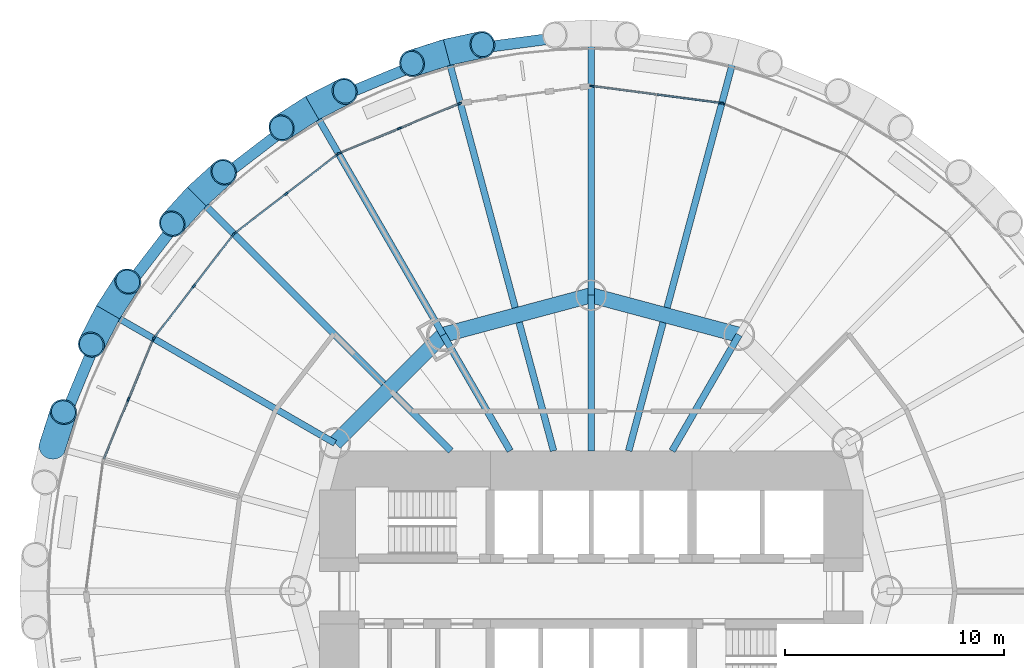
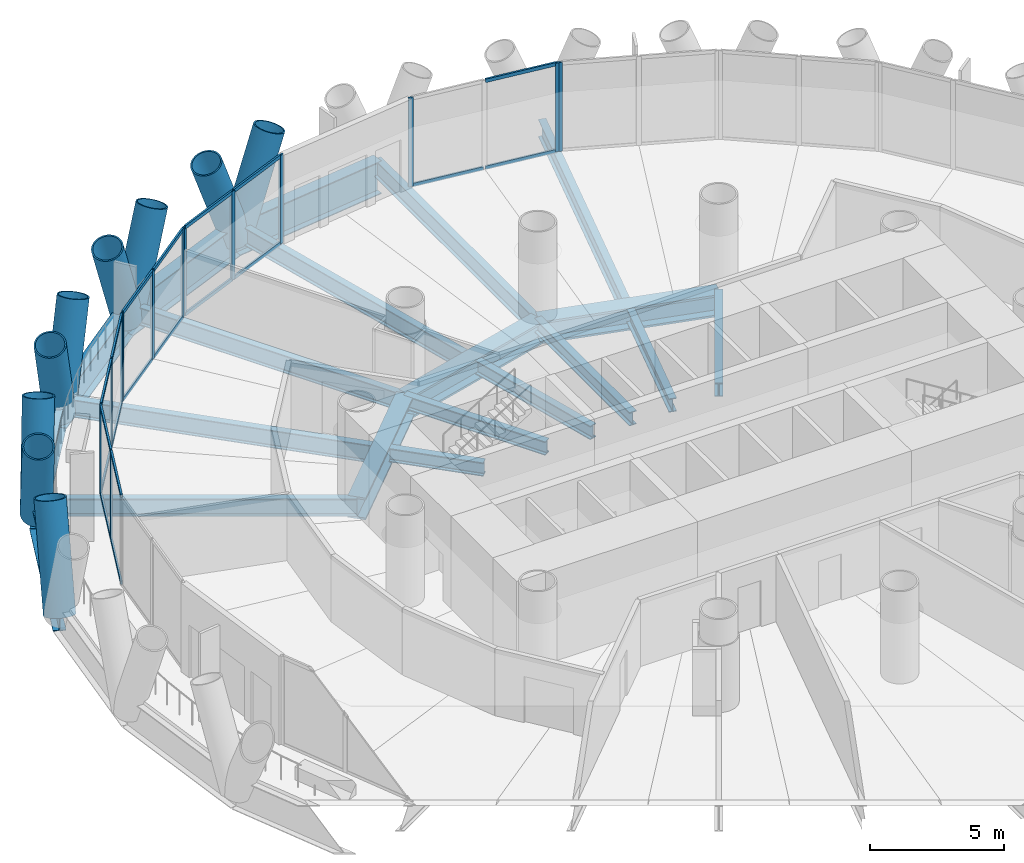
# One storey, part 5 of 14: 42 members, 20 beams, 6 elements without a shape of their own.
"""IFC4 building model written with IfcOpenShell, lengths in metres."""

from ifc_helpers import new_model, si_unit, direction, frame, origin, origin_2d, place, context, subcontext, project, spatial, rectangle, hollow_circle, i_section, extrude, material, material_profile, profile_set, type_object, element, aggregate, save


model = new_model("IFC4")

# Units and contexts
model_context = context("Model", 3, precision=1e-05, world=origin(), true_north=direction((0.0, 1.0)))
body_context = subcontext(model_context, "Body", "Model", "MODEL_VIEW")
ifc_project = project(units=[si_unit("LENGTHUNIT", "METRE"), si_unit("AREAUNIT", "SQUARE_METRE"), si_unit("VOLUMEUNIT", "CUBIC_METRE"), si_unit("PLANEANGLEUNIT", "RADIAN"), si_unit("MASSUNIT", "GRAM", prefix="KILO")], contexts=[model_context])

# Site, building, storey
site_placement = place(None, origin())
site = spatial("IfcSite", under=ifc_project, at=site_placement, CompositionType="ELEMENT")
building_placement = place(site_placement, origin())
building = spatial("IfcBuilding", under=site, at=building_placement, Name="Qaws Media Tower", CompositionType="ELEMENT")
storey_placement = place(building_placement, frame((0.0, 0.0, 93.199951171875)))
storey = spatial("IfcBuildingStorey", under=building, at=storey_placement, Name="L20", CompositionType="ELEMENT", Elevation=93.199951171875)

# Curtain wall, member
ifc_material_1 = material(Name="Aluminium and clear glass", Category="aluminium")
curtain_wall_type = type_object("IfcCurtainWallType", Name="Unitised curtain wall CW-A", PredefinedType="NOTDEFINED", material=ifc_material_1)
curtain_wall_1_placement = place(storey_placement, origin())
curtain_wall_1 = element("IfcCurtainWall", 1, at=curtain_wall_1_placement, inside=storey, type_object=curtain_wall_type, Name="CWA curtain wall L20-05", PredefinedType="NOTDEFINED")
ifc_material_2 = material(Name="Aluminium mullion", Category="aluminium")
ifc_material_profile_1 = material_profile(ifc_material_2, rectangle(XDim=0.080078125, YDim=0.199951171875, at=origin_2d()), Name="80x200")
ifc_profile_set_1 = profile_set([ifc_material_profile_1], Name="Aluminium mullion")
member_type_1 = type_object("IfcMemberType", Name="Curtain wall mullion 80x200", PredefinedType="MULLION", material=ifc_profile_set_1)
member_1_placement = place(storey_placement, frame((66.002685546875, 72.249267578125, 0.0), z_axis=(0.0, 0.0, 1.0), x_axis=(-0.382683328183, -0.923879575665, 0.0)))
member_1 = element("IfcMember", 2, at=member_1_placement, type_object=member_type_1, Name="CWA mullion 3", PredefinedType="MULLION", context=body_context, shape_type="SweptSolid", body=[
    extrude(rectangle(XDim=0.080078125, YDim=0.199951171875, at=origin_2d()), origin(), (0.0, 0.0, 1.0), 4.0400390625),
])
aggregate(curtain_wall_1, [member_1])

# Curtain wall, members
curtain_wall_2_placement = place(storey_placement, origin())
curtain_wall_2 = element("IfcCurtainWall", 3, at=curtain_wall_2_placement, inside=storey, type_object=curtain_wall_type, Name="CWA curtain wall L20-06", PredefinedType="NOTDEFINED")
member_2_placement = place(storey_placement, frame((65.926025390625, 72.269775390625, 0.0), z_axis=(0.0, 0.0, 1.0), x_axis=(-0.130526240342, -0.991444855038, 0.0)))
member_2 = element("IfcMember", 4, at=member_2_placement, type_object=member_type_1, Name="CWA mullion 1", PredefinedType="MULLION", context=body_context, shape_type="SweptSolid", body=[
    extrude(rectangle(XDim=0.080078125, YDim=0.199951171875, at=origin_2d()), origin(), (0.0, 0.0, 1.0), 4.0400390625),
])
member_3_placement = place(storey_placement, frame((60.03955078125, 73.044677734375, 0.0), z_axis=(0.0, 0.0, 1.0), x_axis=(-0.130526240342, -0.991444855038, 0.0)))
member_3 = element("IfcMember", 5, at=member_3_placement, type_object=member_type_1, Name="CWA mullion 3", PredefinedType="MULLION", context=body_context, shape_type="SweptSolid", body=[
    extrude(rectangle(XDim=0.080078125, YDim=0.199951171875, at=origin_2d()), origin(), (0.0, 0.0, 1.0), 4.0400390625),
])

curtain_wall_3_placement = place(storey_placement, origin())
curtain_wall_3 = element("IfcCurtainWall", 6, at=curtain_wall_3_placement, inside=storey, type_object=curtain_wall_type, Name="CWA curtain wall L20-08", PredefinedType="NOTDEFINED")
member_4_placement = place(storey_placement, frame((53.997314453125, 72.249267578125, 0.0), z_axis=(0.0, 0.0, 1.0), x_axis=(0.382683328183, -0.923879575665, 0.0)))
member_4 = element("IfcMember", 7, at=member_4_placement, type_object=member_type_1, Name="CWA mullion 1", PredefinedType="MULLION", context=body_context, shape_type="SweptSolid", body=[
    extrude(rectangle(XDim=0.080078125, YDim=0.199951171875, at=origin_2d()), origin(), (0.0, 0.0, 1.0), 4.0400390625),
])
member_5_placement = place(storey_placement, frame((51.254638671875, 71.11328125, 0.0), z_axis=(0.0, 0.0, 1.0), x_axis=(0.382683328183, -0.923879575665, 0.0)))
member_5 = element("IfcMember", 8, at=member_5_placement, type_object=member_type_1, Name="CWA mullion 2", PredefinedType="MULLION", context=body_context, shape_type="SweptSolid", body=[
    extrude(rectangle(XDim=0.080078125, YDim=0.199951171875, at=origin_2d()), origin(), (0.0, 0.0, 1.0), 4.0400390625),
])
member_6_placement = place(storey_placement, frame((48.511962890625, 69.977294921875, 0.0), z_axis=(0.0, 0.0, 1.0), x_axis=(0.382683328183, -0.923879575665, 0.0)))
member_6 = element("IfcMember", 9, at=member_6_placement, type_object=member_type_1, Name="CWA mullion 3", PredefinedType="MULLION", context=body_context, shape_type="SweptSolid", body=[
    extrude(rectangle(XDim=0.080078125, YDim=0.199951171875, at=origin_2d()), origin(), (0.0, 0.0, 1.0), 4.0400390625),
])

curtain_wall_4_placement = place(storey_placement, origin())
curtain_wall_4 = element("IfcCurtainWall", 10, at=curtain_wall_4_placement, inside=storey, type_object=curtain_wall_type, Name="CWA curtain wall L20-09", PredefinedType="NOTDEFINED")
member_7_placement = place(storey_placement, frame((48.443359375, 69.9375, 0.0), z_axis=(0.0, 0.0, 1.0), x_axis=(0.608761531958, -0.793353261295, 0.0)))
member_7 = element("IfcMember", 11, at=member_7_placement, type_object=member_type_1, Name="CWA mullion 1", PredefinedType="MULLION", context=body_context, shape_type="SweptSolid", body=[
    extrude(rectangle(XDim=0.080078125, YDim=0.199951171875, at=origin_2d()), origin(), (0.0, 0.0, 1.0), 4.0400390625),
])
member_8_placement = place(storey_placement, frame((46.088134765625, 68.13037109375, 0.0), z_axis=(0.0, 0.0, 1.0), x_axis=(0.608761531958, -0.793353261295, 0.0)))
member_8 = element("IfcMember", 12, at=member_8_placement, type_object=member_type_1, Name="CWA mullion 2", PredefinedType="MULLION", context=body_context, shape_type="SweptSolid", body=[
    extrude(rectangle(XDim=0.080078125, YDim=0.199951171875, at=origin_2d()), origin(), (0.0, 0.0, 1.0), 4.0400390625),
])
member_9_placement = place(storey_placement, frame((43.73291015625, 66.3232421875, 0.0), z_axis=(0.0, 0.0, 1.0), x_axis=(0.608761531958, -0.793353261295, 0.0)))
member_9 = element("IfcMember", 13, at=member_9_placement, type_object=member_type_1, Name="CWA mullion 3", PredefinedType="MULLION", context=body_context, shape_type="SweptSolid", body=[
    extrude(rectangle(XDim=0.080078125, YDim=0.199951171875, at=origin_2d()), origin(), (0.0, 0.0, 1.0), 4.0400390625),
])

curtain_wall_5_placement = place(storey_placement, origin())
curtain_wall_5 = element("IfcCurtainWall", 14, at=curtain_wall_5_placement, inside=storey, type_object=curtain_wall_type, Name="CWA curtain wall L20-10", PredefinedType="NOTDEFINED")
member_10_placement = place(storey_placement, frame((43.6767578125, 66.26708984375, 0.0), z_axis=(0.0, 0.0, 1.0), x_axis=(0.793353261295, -0.608761531958, 0.0)))
member_10 = element("IfcMember", 15, at=member_10_placement, type_object=member_type_1, Name="CWA mullion 1", PredefinedType="MULLION", context=body_context, shape_type="SweptSolid", body=[
    extrude(rectangle(XDim=0.080078125, YDim=0.199951171875, at=origin_2d()), origin(), (0.0, 0.0, 1.0), 4.0400390625),
])
member_11_placement = place(storey_placement, frame((41.86962890625, 63.911865234375, 0.0), z_axis=(0.0, 0.0, 1.0), x_axis=(0.793353261295, -0.608761531958, 0.0)))
member_11 = element("IfcMember", 16, at=member_11_placement, type_object=member_type_1, Name="CWA mullion 2", PredefinedType="MULLION", context=body_context, shape_type="SweptSolid", body=[
    extrude(rectangle(XDim=0.080078125, YDim=0.199951171875, at=origin_2d()), origin(), (0.0, 0.0, 1.0), 4.0400390625),
])
member_12_placement = place(storey_placement, frame((40.0625, 61.556640625, 0.0), z_axis=(0.0, 0.0, 1.0), x_axis=(0.793353261295, -0.608761531958, 0.0)))
member_12 = element("IfcMember", 17, at=member_12_placement, type_object=member_type_1, Name="CWA mullion 3", PredefinedType="MULLION", context=body_context, shape_type="SweptSolid", body=[
    extrude(rectangle(XDim=0.080078125, YDim=0.199951171875, at=origin_2d()), origin(), (0.0, 0.0, 1.0), 4.0400390625),
])

curtain_wall_6_placement = place(storey_placement, origin())
curtain_wall_6 = element("IfcCurtainWall", 18, at=curtain_wall_6_placement, inside=storey, type_object=curtain_wall_type, Name="CWA curtain wall L20-11", PredefinedType="NOTDEFINED")
member_13_placement = place(storey_placement, frame((40.022705078125, 61.488037109375, 0.0), z_axis=(0.0, 0.0, 1.0), x_axis=(0.923879575665, -0.382683328183, 0.0)))
member_13 = element("IfcMember", 19, at=member_13_placement, type_object=member_type_1, Name="CWA mullion 1", PredefinedType="MULLION", context=body_context, shape_type="SweptSolid", body=[
    extrude(rectangle(XDim=0.080078125, YDim=0.199951171875, at=origin_2d()), origin(), (0.0, 0.0, 1.0), 4.0400390625),
])
member_14_placement = place(storey_placement, frame((38.88671875, 58.745361328125, 0.0), z_axis=(0.0, 0.0, 1.0), x_axis=(0.923879575665, -0.382683328183, 0.0)))
member_14 = element("IfcMember", 20, at=member_14_placement, type_object=member_type_1, Name="CWA mullion 2", PredefinedType="MULLION", context=body_context, shape_type="SweptSolid", body=[
    extrude(rectangle(XDim=0.080078125, YDim=0.199951171875, at=origin_2d()), origin(), (0.0, 0.0, 1.0), 4.0400390625),
])

# Member
ifc_material_3 = material(Name="Aluminium transom", Category="aluminium")
ifc_material_profile_2 = material_profile(ifc_material_3, rectangle(XDim=0.080078125, YDim=0.159912109375, at=origin_2d()), Name="80x160")
ifc_profile_set_2 = profile_set([ifc_material_profile_2], Name="Aluminium transom")
member_type_2 = type_object("IfcMemberType", Name="Curtain wall transom 80x160", PredefinedType="USERDEFINED", material=ifc_profile_set_2)
member_15_placement = place(storey_placement, frame((65.886474609375, 72.275146484375, 0.0400390625), z_axis=(-0.991449404578, 0.130491678516, 0.0), x_axis=(-0.130491678516, -0.991449404578, 0.0)))
member_15 = element("IfcMember", 21, at=member_15_placement, type_object=member_type_2, Name="CWA transom 1.1", ObjectType="TRANSOM", PredefinedType="USERDEFINED", context=body_context, shape_type="SweptSolid", body=[
    extrude(rectangle(XDim=0.080078125, YDim=0.159912109375, at=origin_2d()), origin(), (0.0, 0.0, 1.0), 2.888671875),
])

member_16_placement = place(storey_placement, frame((65.886474609375, 72.275146484375, 4.0), z_axis=(-0.991449404578, 0.130491678516, 0.0), x_axis=(-0.130491678516, -0.991449404578, 0.0)))
member_16 = element("IfcMember", 22, at=member_16_placement, type_object=member_type_2, Name="CWA transom 1.2", ObjectType="TRANSOM", PredefinedType="USERDEFINED", context=body_context, shape_type="SweptSolid", body=[
    extrude(rectangle(XDim=0.080078125, YDim=0.159912109375, at=origin_2d()), origin(), (0.0, 0.0, 1.0), 2.888671875),
])

member_17_placement = place(storey_placement, frame((62.943115234375, 72.66259765625, 0.0400390625), z_axis=(-0.991447965263, 0.130502613671, 0.0), x_axis=(-0.130502613671, -0.991447965263, 0.0)))
member_17 = element("IfcMember", 23, at=member_17_placement, type_object=member_type_2, Name="CWA transom 2.1", ObjectType="TRANSOM", PredefinedType="USERDEFINED", context=body_context, shape_type="SweptSolid", body=[
    extrude(rectangle(XDim=0.080078125, YDim=0.159912109375, at=origin_2d()), origin(), (0.0, 0.0, 1.0), 2.888427734375),
])

aggregate(curtain_wall_2, [member_2, member_3, member_15, member_16, member_17])

member_18_placement = place(storey_placement, frame((53.960205078125, 72.23388671875, 0.0400390625), z_axis=(-0.923902494293, -0.382627993016, 0.0), x_axis=(0.382627993016, -0.923902494293, 0.0)))
member_18 = element("IfcMember", 24, at=member_18_placement, type_object=member_type_2, Name="CWA transom 1.1", ObjectType="TRANSOM", PredefinedType="USERDEFINED", context=body_context, shape_type="SweptSolid", body=[
    extrude(rectangle(XDim=0.080078125, YDim=0.159912109375, at=origin_2d()), origin(), (0.0, 0.0, 1.0), 2.888427734375),
])

member_19_placement = place(storey_placement, frame((53.960205078125, 72.23388671875, 4.0), z_axis=(-0.923902494293, -0.382627993016, 0.0), x_axis=(0.382627993016, -0.923902494293, 0.0)))
member_19 = element("IfcMember", 25, at=member_19_placement, type_object=member_type_2, Name="CWA transom 1.2", ObjectType="TRANSOM", PredefinedType="USERDEFINED", context=body_context, shape_type="SweptSolid", body=[
    extrude(rectangle(XDim=0.080078125, YDim=0.159912109375, at=origin_2d()), origin(), (0.0, 0.0, 1.0), 2.888427734375),
])

member_20_placement = place(storey_placement, frame((51.2177734375, 71.097900390625, 0.0400390625), z_axis=(-0.923884990322, -0.382670255779, 0.0), x_axis=(0.382670255779, -0.923884990322, 0.0)))
member_20 = element("IfcMember", 26, at=member_20_placement, type_object=member_type_2, Name="CWA transom 2.1", ObjectType="TRANSOM", PredefinedType="USERDEFINED", context=body_context, shape_type="SweptSolid", body=[
    extrude(rectangle(XDim=0.080078125, YDim=0.159912109375, at=origin_2d()), origin(), (0.0, 0.0, 1.0), 2.888916015625),
])

member_21_placement = place(storey_placement, frame((51.2177734375, 71.097900390625, 4.0), z_axis=(-0.923884990322, -0.382670255779, 0.0), x_axis=(0.382670255779, -0.923884990322, 0.0)))
member_21 = element("IfcMember", 27, at=member_21_placement, type_object=member_type_2, Name="CWA transom 2.2", ObjectType="TRANSOM", PredefinedType="USERDEFINED", context=body_context, shape_type="SweptSolid", body=[
    extrude(rectangle(XDim=0.080078125, YDim=0.159912109375, at=origin_2d()), origin(), (0.0, 0.0, 1.0), 2.888916015625),
])

aggregate(curtain_wall_3, [member_4, member_5, member_6, member_18, member_19, member_20, member_21])

member_22_placement = place(storey_placement, frame((48.41162109375, 69.9130859375, 0.0400390625), z_axis=(-0.793390013074, -0.608713633127, 0.0), x_axis=(0.608713633127, -0.793390013074, 0.0)))
member_22 = element("IfcMember", 28, at=member_22_placement, type_object=member_type_2, Name="CWA transom 1.1", ObjectType="TRANSOM", PredefinedType="USERDEFINED", context=body_context, shape_type="SweptSolid", body=[
    extrude(rectangle(XDim=0.080078125, YDim=0.159912109375, at=origin_2d()), origin(), (0.0, 0.0, 1.0), 2.888671875),
])

member_23_placement = place(storey_placement, frame((48.41162109375, 69.9130859375, 4.0), z_axis=(-0.793390013074, -0.608713633127, 0.0), x_axis=(0.608713633127, -0.793390013074, 0.0)))
member_23 = element("IfcMember", 29, at=member_23_placement, type_object=member_type_2, Name="CWA transom 1.2", ObjectType="TRANSOM", PredefinedType="USERDEFINED", context=body_context, shape_type="SweptSolid", body=[
    extrude(rectangle(XDim=0.080078125, YDim=0.159912109375, at=origin_2d()), origin(), (0.0, 0.0, 1.0), 2.888671875),
])

member_24_placement = place(storey_placement, frame((46.056396484375, 68.10595703125, 0.0400390625), z_axis=(-0.793349194644, -0.608766831684, 0.0), x_axis=(0.608766831684, -0.793349194644, 0.0)))
member_24 = element("IfcMember", 30, at=member_24_placement, type_object=member_type_2, Name="CWA transom 2.1", ObjectType="TRANSOM", PredefinedType="USERDEFINED", context=body_context, shape_type="SweptSolid", body=[
    extrude(rectangle(XDim=0.080078125, YDim=0.159912109375, at=origin_2d()), origin(), (0.0, 0.0, 1.0), 2.888671875),
])

member_25_placement = place(storey_placement, frame((46.056396484375, 68.10595703125, 4.0), z_axis=(-0.793349194644, -0.608766831684, 0.0), x_axis=(0.608766831684, -0.793349194644, 0.0)))
member_25 = element("IfcMember", 31, at=member_25_placement, type_object=member_type_2, Name="CWA transom 2.2", ObjectType="TRANSOM", PredefinedType="USERDEFINED", context=body_context, shape_type="SweptSolid", body=[
    extrude(rectangle(XDim=0.080078125, YDim=0.159912109375, at=origin_2d()), origin(), (0.0, 0.0, 1.0), 2.888671875),
])

aggregate(curtain_wall_4, [member_7, member_8, member_9, member_22, member_23, member_24, member_25])

member_26_placement = place(storey_placement, frame((43.652587890625, 66.2353515625, 0.0400390625), z_axis=(-0.608766831684, -0.793349194644, 0.0), x_axis=(0.793349194644, -0.608766831684, 0.0)))
member_26 = element("IfcMember", 32, at=member_26_placement, type_object=member_type_2, Name="CWA transom 1.1", ObjectType="TRANSOM", PredefinedType="USERDEFINED", context=body_context, shape_type="SweptSolid", body=[
    extrude(rectangle(XDim=0.080078125, YDim=0.159912109375, at=origin_2d()), origin(), (0.0, 0.0, 1.0), 2.888671875),
])

member_27_placement = place(storey_placement, frame((43.652587890625, 66.2353515625, 4.0), z_axis=(-0.608766831684, -0.793349194644, 0.0), x_axis=(0.793349194644, -0.608766831684, 0.0)))
member_27 = element("IfcMember", 33, at=member_27_placement, type_object=member_type_2, Name="CWA transom 1.2", ObjectType="TRANSOM", PredefinedType="USERDEFINED", context=body_context, shape_type="SweptSolid", body=[
    extrude(rectangle(XDim=0.080078125, YDim=0.159912109375, at=origin_2d()), origin(), (0.0, 0.0, 1.0), 2.888671875),
])

member_28_placement = place(storey_placement, frame((41.84521484375, 63.880126953125, 0.0400390625), z_axis=(-0.608713633127, -0.793390013074, 0.0), x_axis=(0.793390013074, -0.608713633127, 0.0)))
member_28 = element("IfcMember", 34, at=member_28_placement, type_object=member_type_2, Name="CWA transom 2.1", ObjectType="TRANSOM", PredefinedType="USERDEFINED", context=body_context, shape_type="SweptSolid", body=[
    extrude(rectangle(XDim=0.080078125, YDim=0.159912109375, at=origin_2d()), origin(), (0.0, 0.0, 1.0), 2.888671875),
])

member_29_placement = place(storey_placement, frame((41.84521484375, 63.880126953125, 4.0), z_axis=(-0.608713633127, -0.793390013074, 0.0), x_axis=(0.793390013074, -0.608713633127, 0.0)))
member_29 = element("IfcMember", 35, at=member_29_placement, type_object=member_type_2, Name="CWA transom 2.2", ObjectType="TRANSOM", PredefinedType="USERDEFINED", context=body_context, shape_type="SweptSolid", body=[
    extrude(rectangle(XDim=0.080078125, YDim=0.159912109375, at=origin_2d()), origin(), (0.0, 0.0, 1.0), 2.888671875),
])

aggregate(curtain_wall_5, [member_10, member_11, member_12, member_26, member_27, member_28, member_29])

member_30_placement = place(storey_placement, frame((40.007568359375, 61.451171875, 0.0400390625), z_axis=(-0.382670255779, -0.923884990322, 0.0), x_axis=(0.923884990322, -0.382670255779, 0.0)))
member_30 = element("IfcMember", 36, at=member_30_placement, type_object=member_type_2, Name="CWA transom 1.1", ObjectType="TRANSOM", PredefinedType="USERDEFINED", context=body_context, shape_type="SweptSolid", body=[
    extrude(rectangle(XDim=0.080078125, YDim=0.159912109375, at=origin_2d()), origin(), (0.0, 0.0, 1.0), 2.888916015625),
])

member_31_placement = place(storey_placement, frame((40.007568359375, 61.451171875, 4.0), z_axis=(-0.382670255779, -0.923884990322, 0.0), x_axis=(0.923884990322, -0.382670255779, 0.0)))
member_31 = element("IfcMember", 37, at=member_31_placement, type_object=member_type_2, Name="CWA transom 1.2", ObjectType="TRANSOM", PredefinedType="USERDEFINED", context=body_context, shape_type="SweptSolid", body=[
    extrude(rectangle(XDim=0.080078125, YDim=0.159912109375, at=origin_2d()), origin(), (0.0, 0.0, 1.0), 2.888916015625),
])

member_32_placement = place(storey_placement, frame((38.871337890625, 58.70849609375, 0.0400390625), z_axis=(-0.382627993016, -0.923902494293, 0.0), x_axis=(0.923902494293, -0.382627993016, 0.0)))
member_32 = element("IfcMember", 38, at=member_32_placement, type_object=member_type_2, Name="CWA transom 2.1", ObjectType="TRANSOM", PredefinedType="USERDEFINED", context=body_context, shape_type="SweptSolid", body=[
    extrude(rectangle(XDim=0.080078125, YDim=0.159912109375, at=origin_2d()), origin(), (0.0, 0.0, 1.0), 2.888427734375),
])

member_33_placement = place(storey_placement, frame((38.871337890625, 58.70849609375, 4.0), z_axis=(-0.382627993016, -0.923902494293, 0.0), x_axis=(0.923902494293, -0.382627993016, 0.0)))
member_33 = element("IfcMember", 39, at=member_33_placement, type_object=member_type_2, Name="CWA transom 2.2", ObjectType="TRANSOM", PredefinedType="USERDEFINED", context=body_context, shape_type="SweptSolid", body=[
    extrude(rectangle(XDim=0.080078125, YDim=0.159912109375, at=origin_2d()), origin(), (0.0, 0.0, 1.0), 2.888427734375),
])

aggregate(curtain_wall_6, [member_13, member_14, member_30, member_31, member_32, member_33])

# Members
ifc_material_4 = material(Name="Steel S460", Category="steel")
ifc_material_profile_3 = material_profile(ifc_material_4, hollow_circle(Radius=0.609619140625, WallThickness=0.06005859375, at=origin_2d()), Name="CHS 1219x60")
ifc_profile_set_3 = profile_set([ifc_material_profile_3], Name="Steel S460")
member_type_3 = type_object("IfcMemberType", Name="Diagrid member CHS 1219x60", PredefinedType="USERDEFINED", material=ifc_profile_set_3)
for number, where, z_axis, x_axis, name in (
    (40, (53.4130859375, 74.582763671875, -0.909912109375), (-0.350982561874, -0.11223876536, 0.929630948716), (0.304589483732, -0.952483725005, 0.0), "DG1 diagrid L20 A08"),
    (41, (53.4130859375, 74.582763671875, -0.909912109375), (0.360063084013, 0.078302777838, 0.929636084989), (-0.212502706383, 0.977160478007, 0.0), "DG1 diagrid L20 B08"),
    (42, (47.27490234375, 72.040283203125, -0.909912109375), (-0.309968536271, -0.199242327969, 0.929635413088), (0.540713117879, -0.84120706378, 0.0), "DG1 diagrid L20 A09"),
    (43, (47.27490234375, 72.040283203125, -0.909912109375), (0.327579770816, 0.168815441114, 0.929619729026), (-0.458090025159, 0.888905804262, 0.0), "DG1 diagrid L20 B09"),
    (44, (42.004150390625, 67.995849609375, -0.909912109375), (-0.247824298479, -0.272682383368, 0.929638335529), (0.740032971445, -0.672570591963, 0.0), "DG1 diagrid L20 A10"),
    (45, (42.004150390625, 67.995849609375, -0.909912109375), (0.272682383368, 0.247824298479, 0.929638335529), (-0.672570591963, 0.740032971445, 0.0), "DG1 diagrid L20 B10"),
    (46, (37.959716796875, 62.72509765625, -0.909912109375), (-0.168815441114, -0.327579770816, 0.929619729026), (0.888905804262, -0.458090025159, 0.0), "DG1 diagrid L20 A11"),
    (47, (37.959716796875, 62.72509765625, -0.909912109375), (0.199242327969, 0.309968536271, 0.929635413088), (-0.84120706378, 0.540713117879, 0.0), "DG1 diagrid L20 B11"),
    (48, (35.417236328125, 56.5869140625, -0.909912109375), (0.11223876536, 0.350982561874, 0.929630948716), (-0.952483725005, 0.304589483732, 0.0), "DG1 diagrid L20 B12"),
):
    element("IfcMember", number, at=place(storey_placement, frame(where, z_axis=z_axis, x_axis=x_axis)), inside=storey, type_object=member_type_3, Name=name, ObjectType="DIAGRID", PredefinedType="USERDEFINED", context=body_context, shape_type="SweptSolid", body=[
        extrude(hollow_circle(Radius=0.609619140625, WallThickness=0.06005859375, at=origin_2d()), origin(), (0.0, 0.0, 1.0), 4.517822265625),
    ])

# Beams
ifc_material_5 = material(Name="Steel S460", Category="steel")
ifc_material_profile_4 = material_profile(ifc_material_5, i_section(OverallWidth=0.5, OverallDepth=1.5, WebThickness=0.02001953125, FlangeThickness=0.0400390625, at=origin_2d()), Name="PG 1500x500")
ifc_profile_set_4 = profile_set([ifc_material_profile_4], Name="Steel S460")
beam_type_1 = type_object("IfcBeamType", Name="Edge ring beam PG 1500x500", PredefinedType="BEAM", material=ifc_profile_set_4)
for number, where, z_axis, x_axis, name in (
    (49, (60.0, 75.449951171875, -0.909912109375), (-0.991444787117, -0.130526756258, 0.0), (0.130526756258, -0.991444787117, 0.0), "RB4 edge ring beam L20-07"),
    (50, (53.4130859375, 74.582763671875, -0.909912109375), (-0.923881577225, -0.382678495952, 0.0), (0.382678495952, -0.923881577225, 0.0), "RB4 edge ring beam L20-08"),
):
    element("IfcBeam", number, at=place(storey_placement, frame(where, z_axis=z_axis, x_axis=x_axis)), inside=storey, type_object=beam_type_1, Name=name, PredefinedType="BEAM", context=body_context, shape_type="SweptSolid", body=[
        extrude(i_section(OverallWidth=0.5, OverallDepth=1.5, WebThickness=0.02001953125, FlangeThickness=0.0400390625, at=origin_2d()), origin(), (0.0, 0.0, 1.0), 6.643798828125),
    ])
for number, where, z_axis, x_axis, name in (
    (51, (47.27490234375, 72.040283203125, -0.909912109375), (-0.793350187256, -0.608765538102, 0.0), (0.608765538102, -0.793350187256, 0.0), "RB4 edge ring beam L20-09"),
    (52, (42.004150390625, 67.995849609375, -0.909912109375), (-0.608765538102, -0.793350187256, 0.0), (0.793350187256, -0.608765538102, 0.0), "RB4 edge ring beam L20-10"),
):
    element("IfcBeam", number, at=place(storey_placement, frame(where, z_axis=z_axis, x_axis=x_axis)), inside=storey, type_object=beam_type_1, Name=name, PredefinedType="BEAM", context=body_context, shape_type="SweptSolid", body=[
        extrude(i_section(OverallWidth=0.5, OverallDepth=1.5, WebThickness=0.02001953125, FlangeThickness=0.0400390625, at=origin_2d()), origin(), (0.0, 0.0, 1.0), 6.6435546875),
    ])
beam_1_placement = place(storey_placement, frame((37.959716796875, 62.72509765625, -0.909912109375), z_axis=(-0.382678495952, -0.923881577225, 0.0), x_axis=(0.923881577225, -0.382678495952, 0.0)))
element("IfcBeam", 53, at=beam_1_placement, inside=storey, type_object=beam_type_1, Name="RB4 edge ring beam L20-11", PredefinedType="BEAM", context=body_context, shape_type="SweptSolid", body=[
    extrude(i_section(OverallWidth=0.5, OverallDepth=1.5, WebThickness=0.02001953125, FlangeThickness=0.0400390625, at=origin_2d()), origin(), (0.0, 0.0, 1.0), 6.643798828125),
])
ifc_material_6 = material(Name="Steel S460", Category="steel")
ifc_material_profile_5 = material_profile(ifc_material_6, i_section(OverallWidth=0.699951171875, OverallDepth=1.0, WebThickness=0.034912109375, FlangeThickness=0.090087890625, at=origin_2d()), Name="PG 1000x700")
ifc_profile_set_5 = profile_set([ifc_material_profile_5], Name="Steel S460")
beam_type_2 = type_object("IfcBeamType", Name="Inner ring girder PG 1000x700", PredefinedType="BEAM", material=ifc_profile_set_5)
for number, where, z_axis, x_axis, name in (
    (54, (66.75, 61.69140625, -0.659912109375), (-0.965928090778, 0.258810593767, 0.0), (-0.258810593767, -0.965928090778, 0.0), "B3 inner ring beam L20 I03-I04"),
    (55, (60.0, 63.5, -0.659912109375), (-0.965928090778, -0.258810593767, 0.0), (0.258810593767, -0.965928090778, 0.0), "B3 inner ring beam L20 I04-I05"),
):
    element("IfcBeam", number, at=place(storey_placement, frame(where, z_axis=z_axis, x_axis=x_axis)), inside=storey, type_object=beam_type_2, Name=name, PredefinedType="BEAM", context=body_context, shape_type="SweptSolid", body=[
        extrude(i_section(OverallWidth=0.699951171875, OverallDepth=1.0, WebThickness=0.034912109375, FlangeThickness=0.090087890625, at=origin_2d()), origin(), (0.0, 0.0, 1.0), 6.988037109375),
    ])
beam_2_placement = place(storey_placement, frame((53.25, 61.69140625, -0.659912109375), z_axis=(-0.707106781187, -0.707106781187, 0.0), x_axis=(0.707106781187, -0.707106781187, 0.0)))
element("IfcBeam", 56, at=beam_2_placement, inside=storey, type_object=beam_type_2, Name="B3 inner ring beam L20 I05-I06", PredefinedType="BEAM", context=body_context, shape_type="SweptSolid", body=[
    extrude(i_section(OverallWidth=0.699951171875, OverallDepth=1.0, WebThickness=0.034912109375, FlangeThickness=0.090087890625, at=origin_2d()), origin(), (0.0, 0.0, 1.0), 6.98828125),
])
ifc_material_7 = material(Name="Steel S355", Category="steel")
ifc_material_profile_6 = material_profile(ifc_material_7, i_section(OverallWidth=0.304931640625, OverallDepth=0.6201171875, WebThickness=0.02099609375, FlangeThickness=0.0400390625, FilletRadius=0.027099609375, at=origin_2d()), Name="HE 600 M")
ifc_profile_set_6 = profile_set([ifc_material_profile_6], Name="Steel S355")
beam_type_3 = type_object("IfcBeamType", Name="Radial beam HE 600 M, core side", PredefinedType="BEAM", material=ifc_profile_set_6)
beam_3_placement = place(storey_placement, frame((63.695068359375, 56.39990234375, -0.469970703125), z_axis=(0.49998532359, 0.866033877048, 0.0), x_axis=(-0.866033877048, 0.49998532359, 0.0)))
element("IfcBeam", 57, at=beam_3_placement, inside=storey, type_object=beam_type_3, Name="B2 radial beam L20 05", PredefinedType="BEAM", context=body_context, shape_type="SweptSolid", body=[
    extrude(i_section(OverallWidth=0.304931640625, OverallDepth=0.6201171875, WebThickness=0.02099609375, FlangeThickness=0.0400390625, FilletRadius=0.027099609375, at=origin_2d()), origin(), (0.0, 0.0, 1.0), 6.110107421875),
])
beam_4_placement = place(storey_placement, frame((61.71484375, 56.39990234375, -0.469970703125), z_axis=(0.258822614448, 0.965924869879, 0.0), x_axis=(-0.965924869879, 0.258822614448, 0.0)))
element("IfcBeam", 58, at=beam_4_placement, inside=storey, type_object=beam_type_3, Name="B2 radial beam L20 06", PredefinedType="BEAM", context=body_context, shape_type="SweptSolid", body=[
    extrude(i_section(OverallWidth=0.304931640625, OverallDepth=0.6201171875, WebThickness=0.02099609375, FlangeThickness=0.0400390625, FilletRadius=0.027099609375, at=origin_2d()), origin(), (0.0, 0.0, 1.0), 6.064208984375),
])
beam_5_placement = place(storey_placement, frame((60.0, 56.39990234375, -0.469970703125), z_axis=(0.0, 1.0, 0.0), x_axis=(-1.0, 0.0, 0.0)))
element("IfcBeam", 59, at=beam_5_placement, inside=storey, type_object=beam_type_3, Name="B2 radial beam L20 07", PredefinedType="BEAM", context=body_context, shape_type="SweptSolid", body=[
    extrude(i_section(OverallWidth=0.304931640625, OverallDepth=0.6201171875, WebThickness=0.02099609375, FlangeThickness=0.0400390625, FilletRadius=0.027099609375, at=origin_2d()), origin(), (0.0, 0.0, 1.0), 7.10009765625),
])
beam_6_placement = place(storey_placement, frame((58.28515625, 56.39990234375, -0.469970703125), z_axis=(-0.258822614448, 0.965924869879, 0.0), x_axis=(-0.965924869879, -0.258822614448, 0.0)))
element("IfcBeam", 60, at=beam_6_placement, inside=storey, type_object=beam_type_3, Name="B2 radial beam L20 08", PredefinedType="BEAM", context=body_context, shape_type="SweptSolid", body=[
    extrude(i_section(OverallWidth=0.304931640625, OverallDepth=0.6201171875, WebThickness=0.02099609375, FlangeThickness=0.0400390625, FilletRadius=0.027099609375, at=origin_2d()), origin(), (0.0, 0.0, 1.0), 6.064208984375),
])
beam_7_placement = place(storey_placement, frame((56.304931640625, 56.39990234375, -0.469970703125), z_axis=(-0.49998532359, 0.866033877048, 0.0), x_axis=(-0.866033877048, -0.49998532359, 0.0)))
element("IfcBeam", 61, at=beam_7_placement, inside=storey, type_object=beam_type_3, Name="B2 radial beam L20 09", PredefinedType="BEAM", context=body_context, shape_type="SweptSolid", body=[
    extrude(i_section(OverallWidth=0.304931640625, OverallDepth=0.6201171875, WebThickness=0.02099609375, FlangeThickness=0.0400390625, FilletRadius=0.027099609375, at=origin_2d()), origin(), (0.0, 0.0, 1.0), 6.110107421875),
])
beam_8_placement = place(storey_placement, frame((53.60009765625, 56.39990234375, -0.469970703125), z_axis=(-0.707106781187, 0.707106781187, 0.0), x_axis=(-0.707106781187, -0.707106781187, 0.0)))
element("IfcBeam", 62, at=beam_8_placement, inside=storey, type_object=beam_type_3, Name="B2 radial beam L20 10", PredefinedType="BEAM", context=body_context, shape_type="SweptSolid", body=[
    extrude(i_section(OverallWidth=0.304931640625, OverallDepth=0.6201171875, WebThickness=0.02099609375, FlangeThickness=0.0400390625, FilletRadius=0.027099609375, at=origin_2d()), origin(), (0.0, 0.0, 1.0), 3.63916015625),
])
ifc_material_8 = material(Name="Steel S355", Category="steel")
ifc_material_profile_7 = material_profile(ifc_material_8, i_section(OverallWidth=0.300048828125, OverallDepth=0.800048828125, WebThickness=0.017578125, FlangeThickness=0.032958984375, FilletRadius=0.030029296875, at=origin_2d()), Name="HE 800 B")
ifc_profile_set_7 = profile_set([ifc_material_profile_7], Name="Steel S355")
beam_type_4 = type_object("IfcBeamType", Name="Radial beam HE 800 B", PredefinedType="BEAM", material=ifc_profile_set_7)
beam_9_placement = place(storey_placement, frame((63.465576171875, 62.933837890625, -0.56005859375), z_axis=(0.258820409425, 0.965925460719, 0.0), x_axis=(-0.965925460719, 0.258820409425, 0.0)))
element("IfcBeam", 63, at=beam_9_placement, inside=storey, type_object=beam_type_4, Name="B1 radial beam L20 06", PredefinedType="BEAM", context=body_context, shape_type="SweptSolid", body=[
    extrude(i_section(OverallWidth=0.300048828125, OverallDepth=0.800048828125, WebThickness=0.017578125, FlangeThickness=0.032958984375, FilletRadius=0.030029296875, at=origin_2d()), origin(), (0.0, 0.0, 1.0), 12.059814453125),
])
beam_10_placement = place(storey_placement, frame((60.0, 63.5, -0.56005859375), z_axis=(0.0, 1.0, 0.0), x_axis=(-1.0, 0.0, 0.0)))
element("IfcBeam", 64, at=beam_10_placement, inside=storey, type_object=beam_type_4, Name="B1 radial beam L20 07", PredefinedType="BEAM", context=body_context, shape_type="SweptSolid", body=[
    extrude(i_section(OverallWidth=0.300048828125, OverallDepth=0.800048828125, WebThickness=0.017578125, FlangeThickness=0.032958984375, FilletRadius=0.030029296875, at=origin_2d()), origin(), (0.0, 0.0, 1.0), 11.949951171875),
])
beam_11_placement = place(storey_placement, frame((56.534423828125, 62.933837890625, -0.56005859375), z_axis=(-0.258820409425, 0.965925460719, 0.0), x_axis=(-0.965925460719, -0.258820409425, 0.0)))
element("IfcBeam", 65, at=beam_11_placement, inside=storey, type_object=beam_type_4, Name="B1 radial beam L20 08", PredefinedType="BEAM", context=body_context, shape_type="SweptSolid", body=[
    extrude(i_section(OverallWidth=0.300048828125, OverallDepth=0.800048828125, WebThickness=0.017578125, FlangeThickness=0.032958984375, FilletRadius=0.030029296875, at=origin_2d()), origin(), (0.0, 0.0, 1.0), 12.059814453125),
])
beam_12_placement = place(storey_placement, frame((53.25, 61.69140625, -0.56005859375), z_axis=(-0.500010717269, 0.866019216078, 0.0), x_axis=(-0.866019216078, -0.500010717269, 0.0)))
element("IfcBeam", 66, at=beam_12_placement, inside=storey, type_object=beam_type_4, Name="B1 radial beam L20 09", PredefinedType="BEAM", context=body_context, shape_type="SweptSolid", body=[
    extrude(i_section(OverallWidth=0.300048828125, OverallDepth=0.800048828125, WebThickness=0.017578125, FlangeThickness=0.032958984375, FilletRadius=0.030029296875, at=origin_2d()), origin(), (0.0, 0.0, 1.0), 11.949951171875),
])
beam_13_placement = place(storey_placement, frame((50.53173828125, 59.46826171875, -0.56005859375), z_axis=(-0.707106781187, 0.707106781187, 0.0), x_axis=(-0.707106781187, -0.707106781187, 0.0)))
element("IfcBeam", 67, at=beam_13_placement, inside=storey, type_object=beam_type_4, Name="B1 radial beam L20 10", PredefinedType="BEAM", context=body_context, shape_type="SweptSolid", body=[
    extrude(i_section(OverallWidth=0.300048828125, OverallDepth=0.800048828125, WebThickness=0.017578125, FlangeThickness=0.032958984375, FilletRadius=0.030029296875, at=origin_2d()), origin(), (0.0, 0.0, 1.0), 12.059814453125),
])
beam_14_placement = place(storey_placement, frame((48.30859375, 56.75, -0.56005859375), z_axis=(-0.866019216078, 0.500010717269, 0.0), x_axis=(-0.500010717269, -0.866019216078, 0.0)))
element("IfcBeam", 68, at=beam_14_placement, inside=storey, type_object=beam_type_4, Name="B1 radial beam L20 11", PredefinedType="BEAM", context=body_context, shape_type="SweptSolid", body=[
    extrude(i_section(OverallWidth=0.300048828125, OverallDepth=0.800048828125, WebThickness=0.017578125, FlangeThickness=0.032958984375, FilletRadius=0.030029296875, at=origin_2d()), origin(), (0.0, 0.0, 1.0), 11.949951171875),
])

save(model, "model.ifc")
